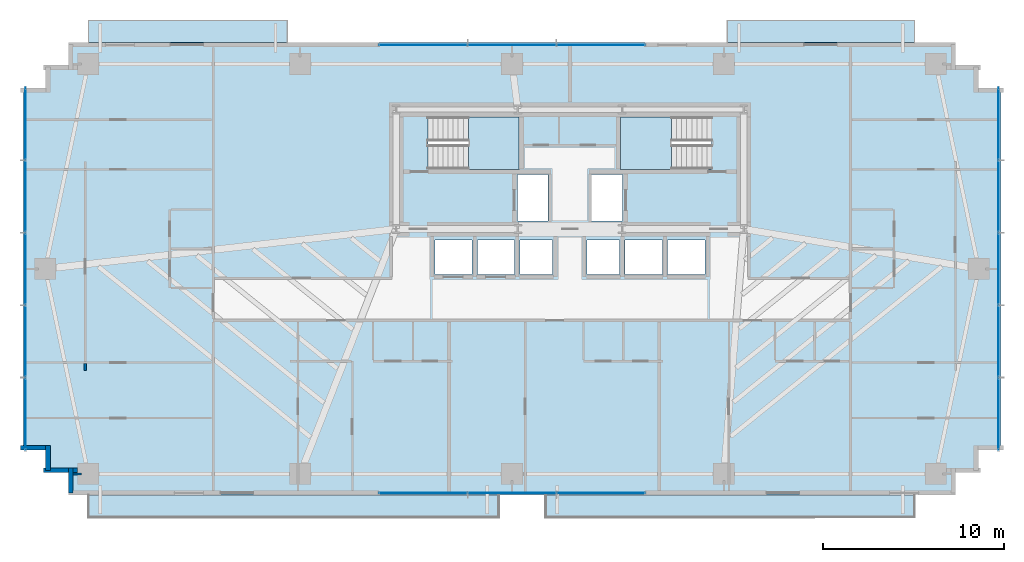
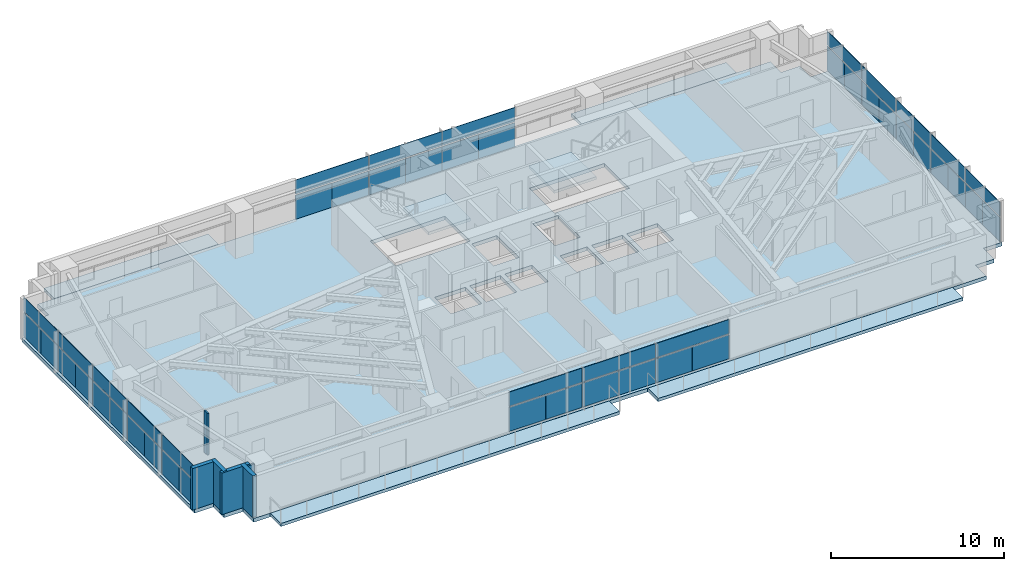
# One storey, part 18 of 25: 48 plates, 7 slabs, 6 walls, 6 elements without a shape of their own.
"""IFC4 building model written with IfcOpenShell, lengths in metres."""

from ifc_helpers import new_model, si_unit, direction, frame, frame_2d, origin, origin_2d, place, context, subcontext, project, spatial, polyline, rectangle, outline, extrude, source, transform, mapped, material, layer, layer_set, type_object, type_shapes, element, aggregate, save


model = new_model("IFC4")

# Units and contexts
model_context = context("Model", 3, precision=1e-05, world=origin(), true_north=direction((0.0, 1.0)))
body_context = subcontext(model_context, "Body", "Model", "MODEL_VIEW")
ifc_project = project(units=[si_unit("LENGTHUNIT", "METRE"), si_unit("AREAUNIT", "SQUARE_METRE"), si_unit("VOLUMEUNIT", "CUBIC_METRE"), si_unit("PLANEANGLEUNIT", "RADIAN"), si_unit("MASSUNIT", "GRAM", prefix="KILO")], contexts=[model_context])

# Site, building, storey
site_placement = place(None, origin())
site = spatial("IfcSite", under=ifc_project, at=site_placement, CompositionType="ELEMENT")
building_placement = place(site_placement, origin())
building = spatial("IfcBuilding", under=site, at=building_placement, Name="Astriad Promenade Condominiums", CompositionType="ELEMENT")
storey_placement = place(building_placement, frame((0.0, 0.0, 58.199951171875)))
storey = spatial("IfcBuildingStorey", under=building, at=storey_placement, Name="L16", CompositionType="ELEMENT", Elevation=58.199951171875)

# Slab
ifc_material_1 = material(Name="Concrete C50/60", Category="concrete")
ifc_layer_1 = layer(ifc_material_1, 0.260009765625)
ifc_layer_set_1 = layer_set([ifc_layer_1], Name="Concrete C50/60")
slab_type_1 = type_object("IfcSlabType", Name="CONCRETE TOWER FLOOR SLAB 260", PredefinedType="FLOOR", material=ifc_layer_set_1)
slab_1_placement = place(storey_placement, frame((0.0, 0.0, -0.260009765625)))
element("IfcSlab", 1, at=slab_1_placement, inside=storey, type_object=slab_type_1, Name="Structural Floor Slab (L16)", PredefinedType="FLOOR", context=body_context, shape_type="SweptSolid", body=[
    extrude(outline(polyline([(8.300048828125, 2.699951171875), (57.300048828125, 2.699951171875), (57.300048828125, 3.949951171875), (58.550048828125, 3.949951171875), (58.550048828125, 5.199951171875), (59.800048828125, 5.199951171875), (59.800048828125, 25.199951171875), (58.550048828125, 25.199951171875), (58.550048828125, 26.449951171875), (57.300048828125, 26.449951171875), (57.300048828125, 27.699951171875), (8.300048828125, 27.699951171875), (8.300048828125, 26.449951171875), (7.050048828125, 26.449951171875), (7.050048828125, 25.199951171875), (5.800048828125, 25.199951171875), (5.800048828125, 5.199951171875), (7.050048828125, 5.199951171875), (7.050048828125, 3.949951171875), (8.300048828125, 3.949951171875), (8.300048828125, 2.699951171875)]), holes=[polyline([(28.175048828125, 20.699951171875), (33.175048828125, 20.699951171875), (33.175048828125, 23.60009765625), (28.175048828125, 23.60009765625), (28.175048828125, 20.699951171875)]), polyline([(38.824951171875, 20.699951171875), (43.824951171875, 20.699951171875), (43.824951171875, 23.60009765625), (38.824951171875, 23.60009765625), (38.824951171875, 20.699951171875)]), polyline([(33.10009765625, 17.85009765625), (34.800048828125, 17.85009765625), (34.800048828125, 20.39990234375), (33.10009765625, 20.39990234375), (33.10009765625, 17.85009765625)]), polyline([(37.199951171875, 17.85009765625), (38.89990234375, 17.85009765625), (38.89990234375, 20.39990234375), (37.199951171875, 20.39990234375), (37.199951171875, 17.85009765625)]), polyline([(28.550048828125, 14.89990234375), (30.60009765625, 14.89990234375), (30.60009765625, 16.800048828125), (28.550048828125, 16.800048828125), (28.550048828125, 14.89990234375)]), polyline([(30.89990234375, 14.89990234375), (32.949951171875, 14.89990234375), (32.949951171875, 16.800048828125), (30.89990234375, 16.800048828125), (30.89990234375, 14.89990234375)]), polyline([(33.25, 14.89990234375), (35.050048828125, 14.89990234375), (35.050048828125, 16.800048828125), (33.25, 16.800048828125), (33.25, 14.89990234375)]), polyline([(36.949951171875, 14.89990234375), (38.75, 14.89990234375), (38.75, 16.800048828125), (36.949951171875, 16.800048828125), (36.949951171875, 14.89990234375)]), polyline([(39.050048828125, 14.89990234375), (41.10009765625, 14.89990234375), (41.10009765625, 16.800048828125), (39.050048828125, 16.800048828125), (39.050048828125, 14.89990234375)]), polyline([(41.39990234375, 14.89990234375), (43.449951171875, 14.89990234375), (43.449951171875, 16.800048828125), (41.39990234375, 16.800048828125), (41.39990234375, 14.89990234375)])]), origin(), (0.0, 0.0, 1.0), 0.260009765625),
])

# Stair, slab
stair_type = type_object("IfcStairType", Name="STR-CORE-1350", PredefinedType="HALF_TURN_STAIR", material=ifc_material_1)
stair_1_placement = place(storey_placement, origin())
stair_1 = element("IfcStair", 2, at=stair_1_placement, inside=storey, type_object=stair_type, Name="L16 Enclosed Core Exit Stair ST-1", PredefinedType="HALF_TURN_STAIR")
ifc_layer_2 = layer(ifc_material_1, 0.219970703125)
ifc_layer_set_2 = layer_set([ifc_layer_2], Name="Concrete C50/60")
slab_type_2 = type_object("IfcSlabType", Name="SLB-LANDING-220", PredefinedType="LANDING", material=ifc_layer_set_2)
slab_2_placement = place(storey_placement, frame((0.0, 0.0, 1.400146484375)))
slab_2 = element("IfcSlab", 3, at=slab_2_placement, type_object=slab_type_2, Name="ST-1 landing 1", PredefinedType="LANDING", context=body_context, shape_type="SweptSolid", body=[
    extrude(outline(polyline([(30.389892578125, 20.699951171875), (33.199951171875, 20.699951171875), (33.199951171875, 23.60009765625), (30.389892578125, 23.60009765625), (30.389892578125, 20.699951171875)])), origin(), (0.0, 0.0, 1.0), 0.199951171875),
])
aggregate(stair_1, [slab_2])

stair_2_placement = place(storey_placement, origin())
stair_2 = element("IfcStair", 4, at=stair_2_placement, inside=storey, type_object=stair_type, Name="L16 Enclosed Core Exit Stair ST-2", PredefinedType="HALF_TURN_STAIR")
slab_3_placement = place(storey_placement, frame((0.0, 0.0, 1.400146484375)))
slab_3 = element("IfcSlab", 5, at=slab_3_placement, type_object=slab_type_2, Name="ST-2 landing 1", PredefinedType="LANDING", context=body_context, shape_type="SweptSolid", body=[
    extrude(outline(polyline([(41.610107421875, 23.60009765625), (38.800048828125, 23.60009765625), (38.800048828125, 20.699951171875), (41.610107421875, 20.699951171875), (41.610107421875, 23.60009765625)])), origin(), (0.0, 0.0, 1.0), 0.199951171875),
])
aggregate(stair_2, [slab_3])

# Slabs
ifc_material_2 = material(Name="Precast concrete C50/60", Category="concrete")
ifc_layer_3 = layer(ifc_material_2, 0.219970703125)
ifc_layer_set_3 = layer_set([ifc_layer_3], Name="Precast concrete C50/60")
slab_type_3 = type_object("IfcSlabType", Name="WHITE PRECAST CONCRETE WAVE BALCONY SLAB 220", PredefinedType="FLOOR", material=ifc_layer_set_3)
slab_4_placement = place(storey_placement, frame((0.0, 0.0, -0.219970703125)))
element("IfcSlab", 6, at=slab_4_placement, inside=storey, type_object=slab_type_3, Name="White Precast Wave Balcony Slab BAL-L16-SW", PredefinedType="FLOOR", context=body_context, shape_type="SweptSolid", body=[
    extrude(outline(polyline([(32.077880859375, 1.47998046875), (9.4140625, 1.47998046875), (9.4140625, 2.697998046875), (32.077880859375, 2.697998046875), (32.077880859375, 1.47998046875)])), origin(), (0.0, 0.0, 1.0), 0.219970703125),
])
slab_5_placement = place(storey_placement, frame((0.0, 0.0, -0.219970703125)))
element("IfcSlab", 7, at=slab_5_placement, inside=storey, type_object=slab_type_3, Name="White Precast Wave Balcony Slab BAL-L16-SE", PredefinedType="FLOOR", context=body_context, shape_type="SweptSolid", body=[
    extrude(outline(polyline([(55.027099609375, 1.47998046875), (34.656005859375, 1.47998046875), (34.656005859375, 2.697998046875), (55.027099609375, 2.697998046875), (55.027099609375, 1.47998046875)])), origin(), (0.0, 0.0, 1.0), 0.219970703125),
])
slab_6_placement = place(storey_placement, frame((0.0, 0.0, -0.219970703125)))
element("IfcSlab", 8, at=slab_6_placement, inside=storey, type_object=slab_type_3, Name="White Precast Wave Balcony Slab BAL-L16-NW", PredefinedType="FLOOR", context=body_context, shape_type="SweptSolid", body=[
    extrude(outline(polyline([(9.4140625, 28.919921875), (20.389892578125, 28.919921875), (20.389892578125, 27.701904296875), (9.4140625, 27.701904296875), (9.4140625, 28.919921875)])), origin(), (0.0, 0.0, 1.0), 0.219970703125),
])
slab_7_placement = place(storey_placement, frame((0.0, 0.0, -0.219970703125)))
element("IfcSlab", 9, at=slab_7_placement, inside=storey, type_object=slab_type_3, Name="White Precast Wave Balcony Slab BAL-L16-NE", PredefinedType="FLOOR", context=body_context, shape_type="SweptSolid", body=[
    extrude(outline(polyline([(44.679931640625, 28.919921875), (55.027099609375, 28.919921875), (55.027099609375, 27.701904296875), (44.679931640625, 27.701904296875), (44.679931640625, 28.919921875)])), origin(), (0.0, 0.0, 1.0), 0.219970703125),
])

# Curtain wall, plates
ifc_material_3 = material(Name="Anodised aluminium Black Dark Glass Unitised", Category="aluminium")
curtain_wall_type = type_object("IfcCurtainWallType", Name="CW-B1-DARK", PredefinedType="USERDEFINED", material=ifc_material_3)
curtain_wall_1_placement = place(storey_placement, origin())
curtain_wall_1 = element("IfcCurtainWall", 10, at=curtain_wall_1_placement, inside=storey, type_object=curtain_wall_type, Name="CW-L16-W", ObjectType="UNITISED_CURTAIN_WALL", PredefinedType="USERDEFINED")
ifc_material_4 = material(Name="Dark Tinted Low-E Laminated Glass", Category="glass")
ifc_layer_4 = layer(ifc_material_4, 0.035888671875)
ifc_layer_set_4 = layer_set([ifc_layer_4], Name="Dark Tinted Low-E Laminated Glass")
plate_type = type_object("IfcPlateType", Name="PNL-DARK-GLASS-36", PredefinedType="CURTAIN_PANEL", material=ifc_layer_set_4)
shared_shape_1 = source(origin(), body_context, "Body", "SweptSolid", [
    extrude(rectangle(XDim=1.988037109375, YDim=0.035888671875, at=origin_2d()), origin(), (0.0, 0.0, 1.0), 1.702880859375),
])
plate_1_placement = place(storey_placement, frame((5.929931640625, 6.199951171875, 0.080078125), z_axis=(0.0, 0.0, 1.0), x_axis=(0.0, 1.0, 0.0)))
plate_1 = element("IfcPlate", 11, at=plate_1_placement, type_object=plate_type, Name="CW-L16-W-PNL-00-VL", PredefinedType="CURTAIN_PANEL", context=body_context, shape_type="MappedRepresentation", body=[
    mapped(shared_shape_1, transform((0.0, 0.0, 0.0), scale=1.0)),
])
plate_2_placement = place(storey_placement, frame((5.929931640625, 8.199951171875, 0.080078125), z_axis=(0.0, 0.0, 1.0), x_axis=(0.0, 1.0, 0.0)))
plate_2 = element("IfcPlate", 12, at=plate_2_placement, type_object=plate_type, Name="CW-L16-W-PNL-00-VR", PredefinedType="CURTAIN_PANEL", context=body_context, shape_type="MappedRepresentation", body=[
    mapped(shared_shape_1, transform((0.0, 0.0, 0.0), scale=1.0)),
])
plate_3_placement = place(storey_placement, frame((5.929931640625, 10.199951171875, 0.080078125), z_axis=(0.0, 0.0, 1.0), x_axis=(0.0, 1.0, 0.0)))
plate_3 = element("IfcPlate", 13, at=plate_3_placement, type_object=plate_type, Name="CW-L16-W-PNL-01-VL", PredefinedType="CURTAIN_PANEL", context=body_context, shape_type="MappedRepresentation", body=[
    mapped(shared_shape_1, transform((0.0, 0.0, 0.0), scale=1.0)),
])
plate_4_placement = place(storey_placement, frame((5.929931640625, 12.199951171875, 0.080078125), z_axis=(0.0, 0.0, 1.0), x_axis=(0.0, 1.0, 0.0)))
plate_4 = element("IfcPlate", 14, at=plate_4_placement, type_object=plate_type, Name="CW-L16-W-PNL-01-VR", PredefinedType="CURTAIN_PANEL", context=body_context, shape_type="MappedRepresentation", body=[
    mapped(shared_shape_1, transform((0.0, 0.0, 0.0), scale=1.0)),
])
plate_5_placement = place(storey_placement, frame((5.929931640625, 14.199951171875, 0.080078125), z_axis=(0.0, 0.0, 1.0), x_axis=(0.0, 1.0, 0.0)))
plate_5 = element("IfcPlate", 15, at=plate_5_placement, type_object=plate_type, Name="CW-L16-W-PNL-02-VL", PredefinedType="CURTAIN_PANEL", context=body_context, shape_type="MappedRepresentation", body=[
    mapped(shared_shape_1, transform((0.0, 0.0, 0.0), scale=1.0)),
])
plate_6_placement = place(storey_placement, frame((5.929931640625, 16.199951171875, 0.080078125), z_axis=(0.0, 0.0, 1.0), x_axis=(0.0, 1.0, 0.0)))
plate_6 = element("IfcPlate", 16, at=plate_6_placement, type_object=plate_type, Name="CW-L16-W-PNL-02-VR", PredefinedType="CURTAIN_PANEL", context=body_context, shape_type="MappedRepresentation", body=[
    mapped(shared_shape_1, transform((0.0, 0.0, 0.0), scale=1.0)),
])
plate_7_placement = place(storey_placement, frame((5.929931640625, 18.199951171875, 0.080078125), z_axis=(0.0, 0.0, 1.0), x_axis=(0.0, 1.0, 0.0)))
plate_7 = element("IfcPlate", 17, at=plate_7_placement, type_object=plate_type, Name="CW-L16-W-PNL-03-VL", PredefinedType="CURTAIN_PANEL", context=body_context, shape_type="MappedRepresentation", body=[
    mapped(shared_shape_1, transform((0.0, 0.0, 0.0), scale=1.0)),
])
plate_8_placement = place(storey_placement, frame((5.929931640625, 20.199951171875, 0.080078125), z_axis=(0.0, 0.0, 1.0), x_axis=(0.0, 1.0, 0.0)))
plate_8 = element("IfcPlate", 18, at=plate_8_placement, type_object=plate_type, Name="CW-L16-W-PNL-03-VR", PredefinedType="CURTAIN_PANEL", context=body_context, shape_type="MappedRepresentation", body=[
    mapped(shared_shape_1, transform((0.0, 0.0, 0.0), scale=1.0)),
])
plate_9_placement = place(storey_placement, frame((5.929931640625, 22.199951171875, 0.080078125), z_axis=(0.0, 0.0, 1.0), x_axis=(0.0, 1.0, 0.0)))
plate_9 = element("IfcPlate", 19, at=plate_9_placement, type_object=plate_type, Name="CW-L16-W-PNL-04-VL", PredefinedType="CURTAIN_PANEL", context=body_context, shape_type="MappedRepresentation", body=[
    mapped(shared_shape_1, transform((0.0, 0.0, 0.0), scale=1.0)),
])
plate_10_placement = place(storey_placement, frame((5.929931640625, 24.199951171875, 0.080078125), z_axis=(0.0, 0.0, 1.0), x_axis=(0.0, 1.0, 0.0)))
plate_10 = element("IfcPlate", 20, at=plate_10_placement, type_object=plate_type, Name="CW-L16-W-PNL-04-VR", PredefinedType="CURTAIN_PANEL", context=body_context, shape_type="MappedRepresentation", body=[
    mapped(shared_shape_1, transform((0.0, 0.0, 0.0), scale=1.0)),
])

curtain_wall_2_placement = place(storey_placement, origin())
curtain_wall_2 = element("IfcCurtainWall", 21, at=curtain_wall_2_placement, inside=storey, type_object=curtain_wall_type, Name="CW-L16-E", ObjectType="UNITISED_CURTAIN_WALL", PredefinedType="USERDEFINED")
plate_11_placement = place(storey_placement, frame((59.669921875, 24.199951171875, 0.080078125), z_axis=(0.0, 0.0, 1.0), x_axis=(0.0, -1.0, 0.0)))
plate_11 = element("IfcPlate", 22, at=plate_11_placement, type_object=plate_type, Name="CW-L16-E-PNL-00-VL", PredefinedType="CURTAIN_PANEL", context=body_context, shape_type="MappedRepresentation", body=[
    mapped(shared_shape_1, transform((0.0, 0.0, 0.0), scale=1.0)),
])
plate_12_placement = place(storey_placement, frame((59.669921875, 22.199951171875, 0.080078125), z_axis=(0.0, 0.0, 1.0), x_axis=(0.0, -1.0, 0.0)))
plate_12 = element("IfcPlate", 23, at=plate_12_placement, type_object=plate_type, Name="CW-L16-E-PNL-00-VR", PredefinedType="CURTAIN_PANEL", context=body_context, shape_type="MappedRepresentation", body=[
    mapped(shared_shape_1, transform((0.0, 0.0, 0.0), scale=1.0)),
])
plate_13_placement = place(storey_placement, frame((59.669921875, 20.199951171875, 0.080078125), z_axis=(0.0, 0.0, 1.0), x_axis=(0.0, -1.0, 0.0)))
plate_13 = element("IfcPlate", 24, at=plate_13_placement, type_object=plate_type, Name="CW-L16-E-PNL-01-VL", PredefinedType="CURTAIN_PANEL", context=body_context, shape_type="MappedRepresentation", body=[
    mapped(shared_shape_1, transform((0.0, 0.0, 0.0), scale=1.0)),
])
plate_14_placement = place(storey_placement, frame((59.669921875, 18.199951171875, 0.080078125), z_axis=(0.0, 0.0, 1.0), x_axis=(0.0, -1.0, 0.0)))
plate_14 = element("IfcPlate", 25, at=plate_14_placement, type_object=plate_type, Name="CW-L16-E-PNL-01-VR", PredefinedType="CURTAIN_PANEL", context=body_context, shape_type="MappedRepresentation", body=[
    mapped(shared_shape_1, transform((0.0, 0.0, 0.0), scale=1.0)),
])
plate_15_placement = place(storey_placement, frame((59.669921875, 16.199951171875, 0.080078125), z_axis=(0.0, 0.0, 1.0), x_axis=(0.0, -1.0, 0.0)))
plate_15 = element("IfcPlate", 26, at=plate_15_placement, type_object=plate_type, Name="CW-L16-E-PNL-02-VL", PredefinedType="CURTAIN_PANEL", context=body_context, shape_type="MappedRepresentation", body=[
    mapped(shared_shape_1, transform((0.0, 0.0, 0.0), scale=1.0)),
])
plate_16_placement = place(storey_placement, frame((59.669921875, 14.199951171875, 0.080078125), z_axis=(0.0, 0.0, 1.0), x_axis=(0.0, -1.0, 0.0)))
plate_16 = element("IfcPlate", 27, at=plate_16_placement, type_object=plate_type, Name="CW-L16-E-PNL-02-VR", PredefinedType="CURTAIN_PANEL", context=body_context, shape_type="MappedRepresentation", body=[
    mapped(shared_shape_1, transform((0.0, 0.0, 0.0), scale=1.0)),
])
plate_17_placement = place(storey_placement, frame((59.669921875, 12.199951171875, 0.080078125), z_axis=(0.0, 0.0, 1.0), x_axis=(0.0, -1.0, 0.0)))
plate_17 = element("IfcPlate", 28, at=plate_17_placement, type_object=plate_type, Name="CW-L16-E-PNL-03-VL", PredefinedType="CURTAIN_PANEL", context=body_context, shape_type="MappedRepresentation", body=[
    mapped(shared_shape_1, transform((0.0, 0.0, 0.0), scale=1.0)),
])
plate_18_placement = place(storey_placement, frame((59.669921875, 10.199951171875, 0.080078125), z_axis=(0.0, 0.0, 1.0), x_axis=(0.0, -1.0, 0.0)))
plate_18 = element("IfcPlate", 29, at=plate_18_placement, type_object=plate_type, Name="CW-L16-E-PNL-03-VR", PredefinedType="CURTAIN_PANEL", context=body_context, shape_type="MappedRepresentation", body=[
    mapped(shared_shape_1, transform((0.0, 0.0, 0.0), scale=1.0)),
])
plate_19_placement = place(storey_placement, frame((59.669921875, 8.199951171875, 0.080078125), z_axis=(0.0, 0.0, 1.0), x_axis=(0.0, -1.0, 0.0)))
plate_19 = element("IfcPlate", 30, at=plate_19_placement, type_object=plate_type, Name="CW-L16-E-PNL-04-VL", PredefinedType="CURTAIN_PANEL", context=body_context, shape_type="MappedRepresentation", body=[
    mapped(shared_shape_1, transform((0.0, 0.0, 0.0), scale=1.0)),
])
plate_20_placement = place(storey_placement, frame((59.669921875, 6.199951171875, 0.080078125), z_axis=(0.0, 0.0, 1.0), x_axis=(0.0, -1.0, 0.0)))
plate_20 = element("IfcPlate", 31, at=plate_20_placement, type_object=plate_type, Name="CW-L16-E-PNL-04-VR", PredefinedType="CURTAIN_PANEL", context=body_context, shape_type="MappedRepresentation", body=[
    mapped(shared_shape_1, transform((0.0, 0.0, 0.0), scale=1.0)),
])

# Plate
shared_shape_2 = source(origin(), body_context, "Body", "SweptSolid", [
    extrude(rectangle(XDim=3.988037109375, YDim=0.035888671875, at=origin_2d()), origin(), (0.0, 0.0, 1.0), 0.997314453125),
])
plate_21_placement = place(storey_placement, frame((5.929931640625, 7.199951171875, 1.86279296875), z_axis=(0.0, 0.0, 1.0), x_axis=(0.0, 1.0, 0.0)))
plate_21 = element("IfcPlate", 32, at=plate_21_placement, type_object=plate_type, Name="CW-L16-W-PNL-00-S", PredefinedType="CURTAIN_PANEL", context=body_context, shape_type="MappedRepresentation", body=[
    mapped(shared_shape_2, transform((0.0, 0.0, 0.0), scale=1.0)),
])

plate_22_placement = place(storey_placement, frame((5.929931640625, 11.199951171875, 1.86279296875), z_axis=(0.0, 0.0, 1.0), x_axis=(0.0, 1.0, 0.0)))
plate_22 = element("IfcPlate", 33, at=plate_22_placement, type_object=plate_type, Name="CW-L16-W-PNL-01-S", PredefinedType="CURTAIN_PANEL", context=body_context, shape_type="MappedRepresentation", body=[
    mapped(shared_shape_2, transform((0.0, 0.0, 0.0), scale=1.0)),
])

plate_23_placement = place(storey_placement, frame((5.929931640625, 15.199951171875, 1.86279296875), z_axis=(0.0, 0.0, 1.0), x_axis=(0.0, 1.0, 0.0)))
plate_23 = element("IfcPlate", 34, at=plate_23_placement, type_object=plate_type, Name="CW-L16-W-PNL-02-S", PredefinedType="CURTAIN_PANEL", context=body_context, shape_type="MappedRepresentation", body=[
    mapped(shared_shape_2, transform((0.0, 0.0, 0.0), scale=1.0)),
])

plate_24_placement = place(storey_placement, frame((5.929931640625, 19.199951171875, 1.86279296875), z_axis=(0.0, 0.0, 1.0), x_axis=(0.0, 1.0, 0.0)))
plate_24 = element("IfcPlate", 35, at=plate_24_placement, type_object=plate_type, Name="CW-L16-W-PNL-03-S", PredefinedType="CURTAIN_PANEL", context=body_context, shape_type="MappedRepresentation", body=[
    mapped(shared_shape_2, transform((0.0, 0.0, 0.0), scale=1.0)),
])

plate_25_placement = place(storey_placement, frame((5.929931640625, 23.199951171875, 1.86279296875), z_axis=(0.0, 0.0, 1.0), x_axis=(0.0, 1.0, 0.0)))
plate_25 = element("IfcPlate", 36, at=plate_25_placement, type_object=plate_type, Name="CW-L16-W-PNL-04-S", PredefinedType="CURTAIN_PANEL", context=body_context, shape_type="MappedRepresentation", body=[
    mapped(shared_shape_2, transform((0.0, 0.0, 0.0), scale=1.0)),
])

aggregate(curtain_wall_1, [plate_1, plate_2, plate_21, plate_3, plate_4, plate_22, plate_5, plate_6, plate_23, plate_7, plate_8, plate_24, plate_9, plate_10, plate_25])

plate_26_placement = place(storey_placement, frame((59.669921875, 23.199951171875, 1.86279296875), z_axis=(0.0, 0.0, 1.0), x_axis=(0.0, -1.0, 0.0)))
plate_26 = element("IfcPlate", 37, at=plate_26_placement, type_object=plate_type, Name="CW-L16-E-PNL-00-S", PredefinedType="CURTAIN_PANEL", context=body_context, shape_type="MappedRepresentation", body=[
    mapped(shared_shape_2, transform((0.0, 0.0, 0.0), scale=1.0)),
])

plate_27_placement = place(storey_placement, frame((59.669921875, 19.199951171875, 1.86279296875), z_axis=(0.0, 0.0, 1.0), x_axis=(0.0, -1.0, 0.0)))
plate_27 = element("IfcPlate", 38, at=plate_27_placement, type_object=plate_type, Name="CW-L16-E-PNL-01-S", PredefinedType="CURTAIN_PANEL", context=body_context, shape_type="MappedRepresentation", body=[
    mapped(shared_shape_2, transform((0.0, 0.0, 0.0), scale=1.0)),
])

plate_28_placement = place(storey_placement, frame((59.669921875, 15.199951171875, 1.86279296875), z_axis=(0.0, 0.0, 1.0), x_axis=(0.0, -1.0, 0.0)))
plate_28 = element("IfcPlate", 39, at=plate_28_placement, type_object=plate_type, Name="CW-L16-E-PNL-02-S", PredefinedType="CURTAIN_PANEL", context=body_context, shape_type="MappedRepresentation", body=[
    mapped(shared_shape_2, transform((0.0, 0.0, 0.0), scale=1.0)),
])

plate_29_placement = place(storey_placement, frame((59.669921875, 11.199951171875, 1.86279296875), z_axis=(0.0, 0.0, 1.0), x_axis=(0.0, -1.0, 0.0)))
plate_29 = element("IfcPlate", 40, at=plate_29_placement, type_object=plate_type, Name="CW-L16-E-PNL-03-S", PredefinedType="CURTAIN_PANEL", context=body_context, shape_type="MappedRepresentation", body=[
    mapped(shared_shape_2, transform((0.0, 0.0, 0.0), scale=1.0)),
])

plate_30_placement = place(storey_placement, frame((59.669921875, 7.199951171875, 1.86279296875), z_axis=(0.0, 0.0, 1.0), x_axis=(0.0, -1.0, 0.0)))
plate_30 = element("IfcPlate", 41, at=plate_30_placement, type_object=plate_type, Name="CW-L16-E-PNL-04-S", PredefinedType="CURTAIN_PANEL", context=body_context, shape_type="MappedRepresentation", body=[
    mapped(shared_shape_2, transform((0.0, 0.0, 0.0), scale=1.0)),
])

aggregate(curtain_wall_2, [plate_11, plate_12, plate_26, plate_13, plate_14, plate_27, plate_15, plate_16, plate_28, plate_17, plate_18, plate_29, plate_19, plate_20, plate_30])

# Curtain wall, plates
curtain_wall_3_placement = place(storey_placement, origin())
curtain_wall_3 = element("IfcCurtainWall", 42, at=curtain_wall_3_placement, inside=storey, type_object=curtain_wall_type, Name="CW-L16-N", ObjectType="UNITISED_CURTAIN_WALL", PredefinedType="USERDEFINED")
shared_shape_3 = source(origin(), body_context, "Body", "SweptSolid", [
    extrude(rectangle(XDim=2.43798828125, YDim=0.035888671875, at=origin_2d()), origin(), (0.0, 0.0, 1.0), 1.702880859375),
])
plate_31_placement = place(storey_placement, frame((26.675048828125, 27.570068359375, 0.080078125), z_axis=(0.0, 0.0, 1.0), x_axis=(1.0, 0.0, 0.0)))
plate_31 = element("IfcPlate", 43, at=plate_31_placement, type_object=plate_type, Name="CW-L16-N-PNL-00-VL", PredefinedType="CURTAIN_PANEL", context=body_context, shape_type="MappedRepresentation", body=[
    mapped(shared_shape_3, transform((0.0, 0.0, 0.0), scale=1.0)),
])
plate_32_placement = place(storey_placement, frame((29.125, 27.570068359375, 0.080078125), z_axis=(0.0, 0.0, 1.0), x_axis=(1.0, 0.0, 0.0)))
plate_32 = element("IfcPlate", 44, at=plate_32_placement, type_object=plate_type, Name="CW-L16-N-PNL-00-VR", PredefinedType="CURTAIN_PANEL", context=body_context, shape_type="MappedRepresentation", body=[
    mapped(shared_shape_3, transform((0.0, 0.0, 0.0), scale=1.0)),
])
plate_33_placement = place(storey_placement, frame((31.574951171875, 27.570068359375, 0.080078125), z_axis=(0.0, 0.0, 1.0), x_axis=(1.0, 0.0, 0.0)))
plate_33 = element("IfcPlate", 45, at=plate_33_placement, type_object=plate_type, Name="CW-L16-N-PNL-01-VL", PredefinedType="CURTAIN_PANEL", context=body_context, shape_type="MappedRepresentation", body=[
    mapped(shared_shape_3, transform((0.0, 0.0, 0.0), scale=1.0)),
])
plate_34_placement = place(storey_placement, frame((34.02490234375, 27.570068359375, 0.080078125), z_axis=(0.0, 0.0, 1.0), x_axis=(1.0, 0.0, 0.0)))
plate_34 = element("IfcPlate", 46, at=plate_34_placement, type_object=plate_type, Name="CW-L16-N-PNL-01-VR", PredefinedType="CURTAIN_PANEL", context=body_context, shape_type="MappedRepresentation", body=[
    mapped(shared_shape_3, transform((0.0, 0.0, 0.0), scale=1.0)),
])
plate_35_placement = place(storey_placement, frame((36.47509765625, 27.570068359375, 0.080078125), z_axis=(0.0, 0.0, 1.0), x_axis=(1.0, 0.0, 0.0)))
plate_35 = element("IfcPlate", 47, at=plate_35_placement, type_object=plate_type, Name="CW-L16-N-PNL-02-VL", PredefinedType="CURTAIN_PANEL", context=body_context, shape_type="MappedRepresentation", body=[
    mapped(shared_shape_3, transform((0.0, 0.0, 0.0), scale=1.0)),
])
plate_36_placement = place(storey_placement, frame((38.925048828125, 27.570068359375, 0.080078125), z_axis=(0.0, 0.0, 1.0), x_axis=(1.0, 0.0, 0.0)))
plate_36 = element("IfcPlate", 48, at=plate_36_placement, type_object=plate_type, Name="CW-L16-N-PNL-02-VR", PredefinedType="CURTAIN_PANEL", context=body_context, shape_type="MappedRepresentation", body=[
    mapped(shared_shape_3, transform((0.0, 0.0, 0.0), scale=1.0)),
])

curtain_wall_4_placement = place(storey_placement, origin())
curtain_wall_4 = element("IfcCurtainWall", 49, at=curtain_wall_4_placement, inside=storey, type_object=curtain_wall_type, Name="CW-L16-S", ObjectType="UNITISED_CURTAIN_WALL", PredefinedType="USERDEFINED")
plate_37_placement = place(storey_placement, frame((38.925048828125, 2.830078125, 0.080078125), z_axis=(0.0, 0.0, 1.0), x_axis=(-1.0, 0.0, 0.0)))
plate_37 = element("IfcPlate", 50, at=plate_37_placement, type_object=plate_type, Name="CW-L16-S-PNL-00-VL", PredefinedType="CURTAIN_PANEL", context=body_context, shape_type="MappedRepresentation", body=[
    mapped(shared_shape_3, transform((0.0, 0.0, 0.0), scale=1.0)),
])
plate_38_placement = place(storey_placement, frame((36.47509765625, 2.830078125, 0.080078125), z_axis=(0.0, 0.0, 1.0), x_axis=(-1.0, 0.0, 0.0)))
plate_38 = element("IfcPlate", 51, at=plate_38_placement, type_object=plate_type, Name="CW-L16-S-PNL-00-VR", PredefinedType="CURTAIN_PANEL", context=body_context, shape_type="MappedRepresentation", body=[
    mapped(shared_shape_3, transform((0.0, 0.0, 0.0), scale=1.0)),
])
plate_39_placement = place(storey_placement, frame((34.02490234375, 2.830078125, 0.080078125), z_axis=(0.0, 0.0, 1.0), x_axis=(-1.0, 0.0, 0.0)))
plate_39 = element("IfcPlate", 52, at=plate_39_placement, type_object=plate_type, Name="CW-L16-S-PNL-01-VL", PredefinedType="CURTAIN_PANEL", context=body_context, shape_type="MappedRepresentation", body=[
    mapped(shared_shape_3, transform((0.0, 0.0, 0.0), scale=1.0)),
])
plate_40_placement = place(storey_placement, frame((31.574951171875, 2.830078125, 0.080078125), z_axis=(0.0, 0.0, 1.0), x_axis=(-1.0, 0.0, 0.0)))
plate_40 = element("IfcPlate", 53, at=plate_40_placement, type_object=plate_type, Name="CW-L16-S-PNL-01-VR", PredefinedType="CURTAIN_PANEL", context=body_context, shape_type="MappedRepresentation", body=[
    mapped(shared_shape_3, transform((0.0, 0.0, 0.0), scale=1.0)),
])
plate_41_placement = place(storey_placement, frame((29.125, 2.830078125, 0.080078125), z_axis=(0.0, 0.0, 1.0), x_axis=(-1.0, 0.0, 0.0)))
plate_41 = element("IfcPlate", 54, at=plate_41_placement, type_object=plate_type, Name="CW-L16-S-PNL-02-VL", PredefinedType="CURTAIN_PANEL", context=body_context, shape_type="MappedRepresentation", body=[
    mapped(shared_shape_3, transform((0.0, 0.0, 0.0), scale=1.0)),
])
plate_42_placement = place(storey_placement, frame((26.675048828125, 2.830078125, 0.080078125), z_axis=(0.0, 0.0, 1.0), x_axis=(-1.0, 0.0, 0.0)))
plate_42 = element("IfcPlate", 55, at=plate_42_placement, type_object=plate_type, Name="CW-L16-S-PNL-02-VR", PredefinedType="CURTAIN_PANEL", context=body_context, shape_type="MappedRepresentation", body=[
    mapped(shared_shape_3, transform((0.0, 0.0, 0.0), scale=1.0)),
])

# Plate
shared_shape_4 = source(origin(), body_context, "Body", "SweptSolid", [
    extrude(rectangle(XDim=4.887939453125, YDim=0.035888671875, at=origin_2d()), origin(), (0.0, 0.0, 1.0), 0.997314453125),
])
type_shapes(plate_type, [shared_shape_1, shared_shape_2, shared_shape_3, shared_shape_4])
plate_43_placement = place(storey_placement, frame((27.89990234375, 27.570068359375, 1.86279296875), z_axis=(0.0, 0.0, 1.0), x_axis=(1.0, 0.0, 0.0)))
plate_43 = element("IfcPlate", 56, at=plate_43_placement, type_object=plate_type, Name="CW-L16-N-PNL-00-S", PredefinedType="CURTAIN_PANEL", context=body_context, shape_type="MappedRepresentation", body=[
    mapped(shared_shape_4, transform((0.0, 0.0, 0.0), scale=1.0)),
])

plate_44_placement = place(storey_placement, frame((32.800048828125, 27.570068359375, 1.86279296875), z_axis=(0.0, 0.0, 1.0), x_axis=(1.0, 0.0, 0.0)))
plate_44 = element("IfcPlate", 57, at=plate_44_placement, type_object=plate_type, Name="CW-L16-N-PNL-01-S", PredefinedType="CURTAIN_PANEL", context=body_context, shape_type="MappedRepresentation", body=[
    mapped(shared_shape_4, transform((0.0, 0.0, 0.0), scale=1.0)),
])

plate_45_placement = place(storey_placement, frame((37.699951171875, 27.570068359375, 1.86279296875), z_axis=(0.0, 0.0, 1.0), x_axis=(1.0, 0.0, 0.0)))
plate_45 = element("IfcPlate", 58, at=plate_45_placement, type_object=plate_type, Name="CW-L16-N-PNL-02-S", PredefinedType="CURTAIN_PANEL", context=body_context, shape_type="MappedRepresentation", body=[
    mapped(shared_shape_4, transform((0.0, 0.0, 0.0), scale=1.0)),
])

aggregate(curtain_wall_3, [plate_31, plate_32, plate_43, plate_33, plate_34, plate_44, plate_35, plate_36, plate_45])

plate_46_placement = place(storey_placement, frame((37.699951171875, 2.830078125, 1.86279296875), z_axis=(0.0, 0.0, 1.0), x_axis=(-1.0, 0.0, 0.0)))
plate_46 = element("IfcPlate", 59, at=plate_46_placement, type_object=plate_type, Name="CW-L16-S-PNL-00-S", PredefinedType="CURTAIN_PANEL", context=body_context, shape_type="MappedRepresentation", body=[
    mapped(shared_shape_4, transform((0.0, 0.0, 0.0), scale=1.0)),
])

plate_47_placement = place(storey_placement, frame((32.800048828125, 2.830078125, 1.86279296875), z_axis=(0.0, 0.0, 1.0), x_axis=(-1.0, 0.0, 0.0)))
plate_47 = element("IfcPlate", 60, at=plate_47_placement, type_object=plate_type, Name="CW-L16-S-PNL-01-S", PredefinedType="CURTAIN_PANEL", context=body_context, shape_type="MappedRepresentation", body=[
    mapped(shared_shape_4, transform((0.0, 0.0, 0.0), scale=1.0)),
])

plate_48_placement = place(storey_placement, frame((27.89990234375, 2.830078125, 1.86279296875), z_axis=(0.0, 0.0, 1.0), x_axis=(-1.0, 0.0, 0.0)))
plate_48 = element("IfcPlate", 61, at=plate_48_placement, type_object=plate_type, Name="CW-L16-S-PNL-02-S", PredefinedType="CURTAIN_PANEL", context=body_context, shape_type="MappedRepresentation", body=[
    mapped(shared_shape_4, transform((0.0, 0.0, 0.0), scale=1.0)),
])

aggregate(curtain_wall_4, [plate_37, plate_38, plate_46, plate_39, plate_40, plate_47, plate_41, plate_42, plate_48])

# Walls
ifc_layer_5 = layer(ifc_material_2, 0.260009765625)
ifc_layer_set_5 = layer_set([ifc_layer_5], Name="Precast concrete C50/60")
wall_type_1 = type_object("IfcWallType", Name="WALL-EXT-TWR-260", PredefinedType="STANDARD", material=ifc_layer_set_5)
wall_1_placement = place(storey_placement, frame((8.798095703125, 4.080078125, 0.0), z_axis=(0.0, 0.0, 1.0), x_axis=(-1.0, 0.0, 0.0)))
element("IfcWall", 62, at=wall_1_placement, inside=storey, type_object=wall_type_1, Name="W-SER-L16-00", PredefinedType="STANDARD", context=body_context, shape_type="SweptSolid", body=[
    extrude(rectangle(XDim=1.878173828125, YDim=0.260009765625, at=frame_2d((0.93896484375, 0.0))), origin(), (0.0, 0.0, 1.0), 2.93994140625),
])
for number, where, z_axis, x_axis, name in (
    (63, (7.179931640625, 4.06494140625, 0.0), (0.0, 0.0, 1.0), (0.0, 1.0, 0.0), "W-SER-L16-01"),
    (64, (7.06494140625, 5.330078125, 0.0), (0.0, 0.0, 1.0), (-1.0, 0.0, 0.0), "W-SER-L16-02"),
    (65, (8.429931640625, 2.81494140625, 0.0), (0.0, 0.0, 1.0), (0.0, 1.0, 0.0), "W-SER-L16-19"),
):
    element("IfcWall", number, at=place(storey_placement, frame(where, z_axis=z_axis, x_axis=x_axis)), inside=storey, type_object=wall_type_1, Name=name, PredefinedType="STANDARD", context=body_context, shape_type="SweptSolid", body=[
        extrude(rectangle(XDim=1.39501953125, YDim=0.260009765625, at=frame_2d((0.697509765625, 0.0))), origin(), (0.0, 0.0, 1.0), 2.93994140625),
    ])
ifc_material_5 = material(Name="Acoustic Metal-Stud Gypsum Partition")
ifc_layer_6 = layer(ifc_material_5, 0.1201171875)
ifc_layer_set_6 = layer_set([ifc_layer_6], Name="Acoustic Metal-Stud Gypsum Partition")
wall_type_2 = type_object("IfcWallType", Name="WALL-PART-120", PredefinedType="PARTITIONING", material=ifc_layer_set_6)
wall_2_placement = place(storey_placement, frame((9.237060546875, 9.5859375, 0.0), z_axis=(0.0, 0.0, 1.0), x_axis=(0.0, 1.0, 0.0)))
element("IfcWall", 66, at=wall_2_placement, inside=storey, type_object=wall_type_2, Name="PT-L16-W1-WDV5", PredefinedType="PARTITIONING", context=body_context, shape_type="SweptSolid", body=[
    extrude(rectangle(XDim=0.378173828125, YDim=0.1201171875, at=frame_2d((0.18896484375, 0.0))), origin(), (0.0, 0.0, 1.0), 2.93994140625),
])
wall_3_placement = place(storey_placement, frame((9.02001953125, 3.8798828125, 0.0), z_axis=(0.0, 0.0, 1.0), x_axis=(-1.0, 0.0, 0.0)))
element("IfcWall", 67, at=wall_3_placement, inside=storey, type_object=wall_type_2, Name="PT-PIL-L16-PC01-8", PredefinedType="PARTITIONING", context=body_context, shape_type="SweptSolid", body=[
    extrude(rectangle(XDim=0.4580078125, YDim=0.1201171875, at=frame_2d((0.22900390625, 0.0))), origin(), (0.0, 0.0, 1.0), 2.93994140625),
])

save(model, "model.ifc")
